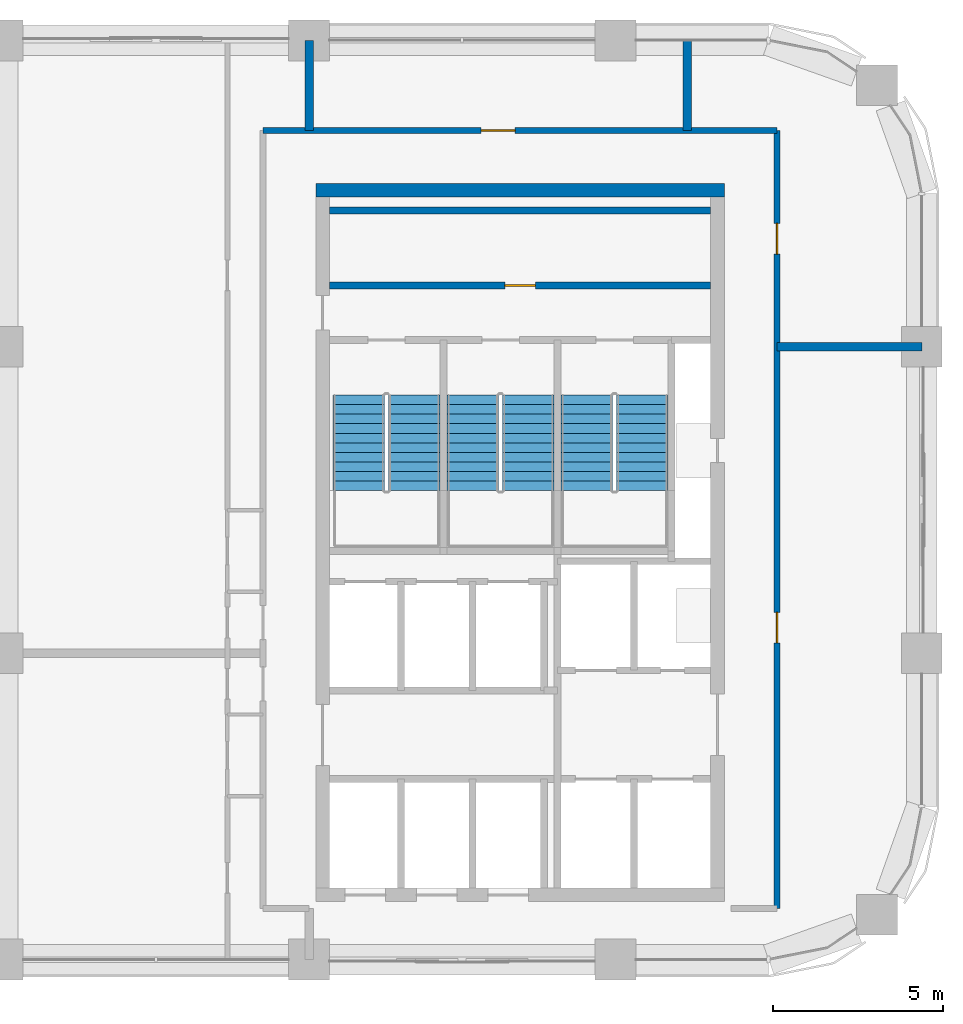
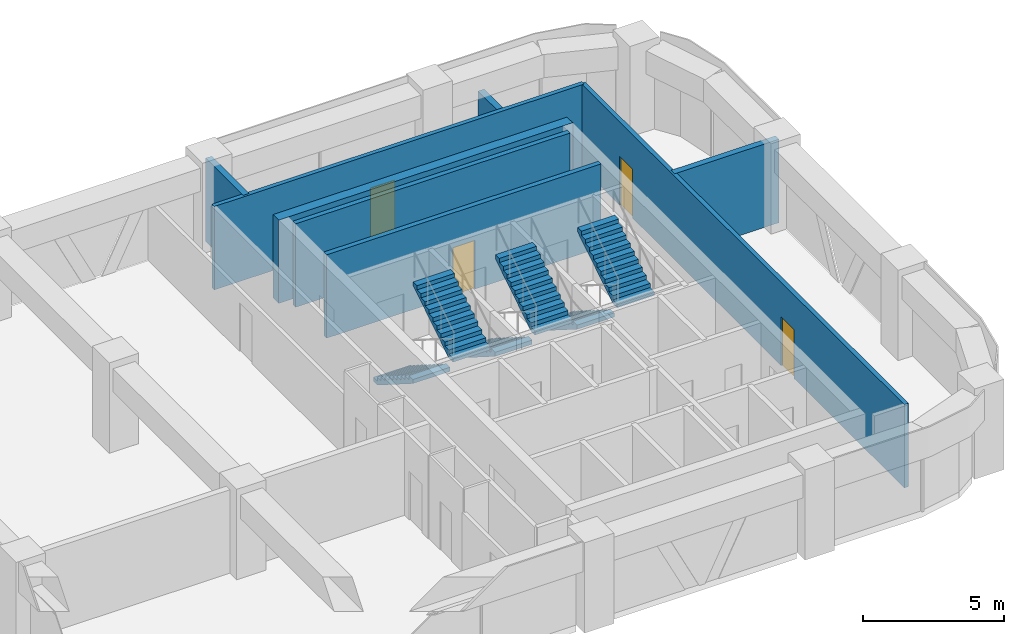
# One storey, part 8 of 9: 8 walls, 6 stair flights, 4 doors, 4 openings, 3 elements without a shape of their own.
"""IFC4 building model written with IfcOpenShell, lengths in metres."""

from ifc_helpers import new_model, si_unit, direction, frame, frame_2d, origin, place, context, subcontext, project, spatial, polyline, rectangle, outline, extrude, material, layer, layer_set, type_object, element, fill, aggregate, save


model = new_model("IFC4")

# Units and contexts
model_context = context("Model", 3, precision=1e-05, world=origin(), true_north=direction((0.0, 1.0)))
body_context = subcontext(model_context, "Body", "Model", "MODEL_VIEW")
ifc_project = project(units=[si_unit("LENGTHUNIT", "METRE"), si_unit("AREAUNIT", "SQUARE_METRE"), si_unit("VOLUMEUNIT", "CUBIC_METRE"), si_unit("PLANEANGLEUNIT", "RADIAN"), si_unit("MASSUNIT", "GRAM", prefix="KILO")], contexts=[model_context])

# Site, building, storey
site_placement = place(None, origin())
site = spatial("IfcSite", under=ifc_project, at=site_placement, CompositionType="ELEMENT")
building_placement = place(site_placement, origin())
building = spatial("IfcBuilding", under=site, at=building_placement, Name="Tessera Arch", CompositionType="ELEMENT")
storey_placement = place(building_placement, frame((0.0, 0.0, 273.5)))
storey = spatial("IfcBuildingStorey", under=building, at=storey_placement, Name="L66", CompositionType="ELEMENT", Elevation=273.5)

# Wall, opening, door
ifc_material_1 = material(Name="Gypsum board on steel stud", Category="steel")
ifc_layer_1 = layer(ifc_material_1, 0.125)
ifc_layer_set_1 = layer_set([ifc_layer_1], Name="Core partition 125 EI 60")
wall_type_1 = type_object("IfcWallType", Name="Core partition 125 EI 60", PredefinedType="PARTITIONING", material=ifc_layer_set_1)
wall_1_placement = place(storey_placement, frame((36.60009765625, 46.800048828125, 0.0), z_axis=(0.0, 0.0, 1.0), x_axis=(1.0, 0.0, 0.0)))
wall_1 = element("IfcWall", 1, at=wall_1_placement, inside=storey, type_object=wall_type_1, Name="L66 C1 partition wall 30", PredefinedType="PARTITIONING", context=body_context, shape_type="SweptSolid", body=[
    extrude(rectangle(XDim=11.199951171875, YDim=0.199951171875, at=frame_2d((5.60009765625, 0.0))), origin(), (0.0, 0.0, 1.0), 3.60009765625),
])
opening_1_placement = place(wall_1_placement, frame((5.14990234375, 0.0, 0.0)))
opening_1 = element("IfcOpeningElement", 2, at=opening_1_placement, cuts=wall_1, Name="Opening L66-C18", PredefinedType="OPENING", context=body_context, shape_type="SweptSolid", body=[
    extrude(rectangle(XDim=0.89990234375, YDim=2.10009765625, at=frame_2d((0.449951171875, 1.050048828125))), frame((0.0, 0.10986328125, 0.0), z_axis=(0.0, -1.0, 0.0), x_axis=(1.0, 0.0, 0.0)), (0.0, 0.0, 1.0), 0.219970703125),
])
ifc_material_2 = material(Name="Steel door leaf", Category="steel")
door_type_1 = type_object("IfcDoorType", Name="Store door FD30S 900 x 2100", OperationType="SINGLE_SWING_LEFT", PredefinedType="DOOR", material=ifc_material_2)
door_1_placement = place(opening_1_placement, origin())
door_1 = element("IfcDoor", 3, at=door_1_placement, inside=storey, type_object=door_type_1, Name="L66 C1 door 18 C18 type D09", OperationType="SINGLE_SWING_RIGHT", OverallHeight=2.10009765625, OverallWidth=0.89990234375, PredefinedType="DOOR", context=body_context, shape_type="SweptSolid", body=[
    extrude(rectangle(XDim=0.89990234375, YDim=2.10009765625, at=frame_2d((0.449951171875, 1.050048828125))), frame((0.0, 0.02490234375, 0.0), z_axis=(0.0, -1.0, 0.0), x_axis=(1.0, 0.0, 0.0)), (0.0, 0.0, 1.0), 0.050048828125),
])
fill(opening_1, door_1)

# Walls
wall_2_placement = place(storey_placement, frame((36.60009765625, 49.0, 0.0), z_axis=(0.0, 0.0, 1.0), x_axis=(1.0, 0.0, 0.0)))
element("IfcWall", 4, at=wall_2_placement, inside=storey, type_object=wall_type_1, Name="L66 C1 partition wall 31", PredefinedType="PARTITIONING", context=body_context, shape_type="SweptSolid", body=[
    extrude(rectangle(XDim=11.199951171875, YDim=0.199951171875, at=frame_2d((5.60009765625, 0.0))), origin(), (0.0, 0.0, 1.0), 3.60009765625),
])
ifc_material_3 = material(Name="Concrete C50/60", Category="concrete")
ifc_layer_2 = layer(ifc_material_3, 0.39990234375)
ifc_layer_set_2 = layer_set([ifc_layer_2], Name="Core shell wall 400 C50-60")
wall_type_2 = type_object("IfcWallType", Name="Core shell wall 400 C50-60", PredefinedType="SHEAR", material=ifc_layer_set_2)
wall_3_placement = place(storey_placement, frame((36.199951171875, 49.60009765625, 0.0), z_axis=(0.0, 0.0, 1.0), x_axis=(1.0, 0.0, 0.0)))
element("IfcWall", 5, at=wall_3_placement, inside=storey, type_object=wall_type_2, Name="L66 C1 core wall N", PredefinedType="SHEAR", context=body_context, shape_type="SweptSolid", body=[
    extrude(rectangle(XDim=12.0, YDim=0.39990234375, at=frame_2d((6.0, 0.0))), origin(), (0.0, 0.0, 1.0), 3.60009765625),
])

# Wall, opening, door
ifc_material_4 = material(Name="Gypsum board on deep steel stud with mineral wool", Category="steel")
ifc_layer_3 = layer(ifc_material_4, 0.175048828125)
ifc_layer_set_3 = layer_set([ifc_layer_3], Name="Corridor wall 175 EI 60")
wall_type_3 = type_object("IfcWallType", Name="Corridor wall 175 EI 60", PredefinedType="PARTITIONING", material=ifc_layer_set_3)
wall_4_placement = place(storey_placement, frame((34.64990234375, 51.35009765625, 0.0), z_axis=(0.0, 0.0, 1.0), x_axis=(1.0, 0.0, 0.0)))
wall_4 = element("IfcWall", 6, at=wall_4_placement, inside=storey, type_object=wall_type_3, Name="L66 partition 3", PredefinedType="PARTITIONING", context=body_context, shape_type="SweptSolid", body=[
    extrude(rectangle(XDim=15.10009765625, YDim=0.175048828125, at=frame_2d((7.550048828125, 0.0))), origin(), (0.0, 0.0, 1.0), 3.60009765625),
])
opening_2_placement = place(wall_4_placement, frame((6.40673828125, 0.0, 0.0)))
opening_2 = element("IfcOpeningElement", 7, at=opening_2_placement, cuts=wall_4, Name="Opening L66-D011", PredefinedType="OPENING", context=body_context, shape_type="SweptSolid", body=[
    extrude(rectangle(XDim=1.0, YDim=2.10009765625, at=frame_2d((0.5, 1.050048828125))), frame((0.0, 0.097412109375, 0.0), z_axis=(0.0, -1.0, 0.0), x_axis=(1.0, 0.0, 0.0)), (0.0, 0.0, 1.0), 0.195068359375),
])
ifc_material_5 = material(Name="Fire-rated door leaf")
door_type_2 = type_object("IfcDoorType", Name="Entrance door FD30S 1000 x 2100", OperationType="SINGLE_SWING_LEFT", PredefinedType="DOOR", material=ifc_material_5)
door_2_placement = place(opening_2_placement, origin())
door_2 = element("IfcDoor", 8, at=door_2_placement, inside=storey, type_object=door_type_2, Name="L66 door D011 type D03", OperationType="SINGLE_SWING_LEFT", OverallHeight=2.10009765625, OverallWidth=1.0, PredefinedType="DOOR", context=body_context, shape_type="SweptSolid", body=[
    extrude(rectangle(XDim=1.0, YDim=2.10009765625, at=frame_2d((0.5, 1.050048828125))), frame((0.0, 0.02490234375, 0.0), z_axis=(0.0, -1.0, 0.0), x_axis=(1.0, 0.0, 0.0)), (0.0, 0.0, 1.0), 0.050048828125),
])
fill(opening_2, door_2)

# Wall, openings, doors
wall_5_placement = place(storey_placement, frame((49.75, 28.5, 0.0), z_axis=(0.0, 0.0, 1.0), x_axis=(0.0, 1.0, 0.0)))
wall_5 = element("IfcWall", 9, at=wall_5_placement, inside=storey, type_object=wall_type_3, Name="L66 partition 5", PredefinedType="PARTITIONING", context=body_context, shape_type="SweptSolid", body=[
    extrude(rectangle(XDim=22.85009765625, YDim=0.175048828125, at=frame_2d((11.425048828125, 0.0))), origin(), (0.0, 0.0, 1.0), 3.60009765625),
])
opening_3_placement = place(wall_5_placement, frame((7.800048828125, 0.0, 0.0)))
opening_3 = element("IfcOpeningElement", 10, at=opening_3_placement, cuts=wall_5, Name="Opening L66-D005", PredefinedType="OPENING", context=body_context, shape_type="SweptSolid", body=[
    extrude(rectangle(XDim=0.89990234375, YDim=2.10009765625, at=frame_2d((0.449951171875, 1.050048828125))), frame((0.0, 0.097412109375, 0.0), z_axis=(0.0, -1.0, 0.0), x_axis=(1.0, 0.0, 0.0)), (0.0, 0.0, 1.0), 0.195068359375),
])
opening_4_placement = place(wall_5_placement, frame((19.22509765625, 0.0, 0.0)))
opening_4 = element("IfcOpeningElement", 11, at=opening_4_placement, cuts=wall_5, Name="Opening L66-D010", PredefinedType="OPENING", context=body_context, shape_type="SweptSolid", body=[
    extrude(rectangle(XDim=0.89990234375, YDim=2.10009765625, at=frame_2d((0.449951171875, 1.050048828125))), frame((0.0, 0.097412109375, 0.0), z_axis=(0.0, -1.0, 0.0), x_axis=(1.0, 0.0, 0.0)), (0.0, 0.0, 1.0), 0.195068359375),
])
ifc_material_6 = material(Name="Timber door leaf", Category="wood")
door_type_3 = type_object("IfcDoorType", Name="Room door 900 x 2100", OperationType="SINGLE_SWING_LEFT", PredefinedType="DOOR", material=ifc_material_6)
door_3_placement = place(opening_3_placement, origin())
door_3 = element("IfcDoor", 12, at=door_3_placement, inside=storey, type_object=door_type_3, Name="L66 door D005 type D01", OperationType="SINGLE_SWING_LEFT", OverallHeight=2.10009765625, OverallWidth=0.89990234375, PredefinedType="DOOR", context=body_context, shape_type="SweptSolid", body=[
    extrude(rectangle(XDim=0.89990234375, YDim=2.10009765625, at=frame_2d((0.449951171875, 1.050048828125))), frame((0.0, 0.02490234375, 0.0), z_axis=(0.0, -1.0, 0.0), x_axis=(1.0, 0.0, 0.0)), (0.0, 0.0, 1.0), 0.050048828125),
])
fill(opening_3, door_3)
door_4_placement = place(opening_4_placement, origin())
door_4 = element("IfcDoor", 13, at=door_4_placement, inside=storey, type_object=door_type_3, Name="L66 door D010 type D01", OperationType="SINGLE_SWING_LEFT", OverallHeight=2.10009765625, OverallWidth=0.89990234375, PredefinedType="DOOR", context=body_context, shape_type="SweptSolid", body=[
    extrude(rectangle(XDim=0.89990234375, YDim=2.10009765625, at=frame_2d((0.449951171875, 1.050048828125))), frame((0.0, 0.02490234375, 0.0), z_axis=(0.0, -1.0, 0.0), x_axis=(1.0, 0.0, 0.0)), (0.0, 0.0, 1.0), 0.050048828125),
])
fill(opening_4, door_4)

# Walls
ifc_material_7 = material(Name="Double gypsum board on twin steel stud with acoustic mineral wool", Category="steel")
ifc_layer_4 = layer(ifc_material_7, 0.25)
ifc_layer_set_4 = layer_set([ifc_layer_4], Name="Party wall 250 EI 60")
wall_type_4 = type_object("IfcWallType", Name="Party wall 250 EI 60", PredefinedType="PARTITIONING", material=ifc_layer_set_4)
wall_6_placement = place(storey_placement, frame((49.75, 45.0, 0.0), z_axis=(0.0, 0.0, 1.0), x_axis=(1.0, 0.0, 0.0)))
element("IfcWall", 14, at=wall_6_placement, inside=storey, type_object=wall_type_4, Name="L66 partition 10", PredefinedType="PARTITIONING", context=body_context, shape_type="SweptSolid", body=[
    extrude(rectangle(XDim=4.25, YDim=0.25, at=frame_2d((2.125, 0.0))), origin(), (0.0, 0.0, 1.0), 3.60009765625),
])
wall_7_placement = place(storey_placement, frame((36.0, 51.35009765625, 0.0), z_axis=(0.0, 0.0, 1.0), x_axis=(0.0, 1.0, 0.0)))
element("IfcWall", 15, at=wall_7_placement, inside=storey, type_object=wall_type_4, Name="L66 partition 12", PredefinedType="PARTITIONING", context=body_context, shape_type="SweptSolid", body=[
    extrude(rectangle(XDim=2.64990234375, YDim=0.25, at=frame_2d((1.324951171875, 0.0))), origin(), (0.0, 0.0, 1.0), 3.60009765625),
])
wall_8_placement = place(storey_placement, frame((47.114013671875, 51.35009765625, 0.0), z_axis=(0.0, 0.0, 1.0), x_axis=(0.0, 1.0, 0.0)))
element("IfcWall", 16, at=wall_8_placement, inside=storey, type_object=wall_type_4, Name="L66 partition 13", PredefinedType="PARTITIONING", context=body_context, shape_type="SweptSolid", body=[
    extrude(rectangle(XDim=2.64990234375, YDim=0.25, at=frame_2d((1.324951171875, 0.0))), origin(), (0.0, 0.0, 1.0), 2.60009765625),
])

# Stair, stair flights
ifc_material_8 = material(Name="Concrete C40/50", Category="concrete")
stair_type = type_object("IfcStairType", Name="Dogleg stair 1520", PredefinedType="HALF_TURN_STAIR", material=ifc_material_8)
stair_1_placement = place(storey_placement, origin())
stair_1 = element("IfcStair", 17, at=stair_1_placement, inside=storey, type_object=stair_type, Name="L66 S1a", PredefinedType="HALF_TURN_STAIR")
ifc_material_9 = material(Name="Concrete C40/50", Category="concrete")
stair_flight_type = type_object("IfcStairFlightType", Name="Stair flight 1520", PredefinedType="STRAIGHT", material=ifc_material_9)
stair_flight_1_placement = place(storey_placement, frame((37.4599609375, 43.580078125, 0.0), z_axis=(0.0, 0.0, 1.0), x_axis=(0.0, -1.0, 0.0)))
stair_flight_1 = element("IfcStairFlight", 18, at=stair_flight_1_placement, type_object=stair_flight_type, Name="S1a flight 1", NumberOfRisers=11, NumberOfTreads=10, PredefinedType="STRAIGHT", RiserHeight=0.177272727, TreadLength=0.28, context=body_context, shape_type="SweptSolid", body=[
    extrude(outline(polyline([(0.0, 0.0), (0.0, 0.17724609375), (0.280029296875, 0.17724609375), (0.280029296875, 0.3544921875), (0.56005859375, 0.3544921875), (0.56005859375, 0.53173828125), (0.840087890625, 0.53173828125), (0.840087890625, 0.708984375), (1.1201171875, 0.708984375), (1.1201171875, 0.886474609375), (1.39990234375, 0.886474609375), (1.39990234375, 1.063720703125), (1.679931640625, 1.063720703125), (1.679931640625, 1.240966796875), (1.9599609375, 1.240966796875), (1.9599609375, 1.418212890625), (2.239990234375, 1.418212890625), (2.239990234375, 1.595458984375), (2.52001953125, 1.595458984375), (2.52001953125, 1.772705078125), (2.800048828125, 1.772705078125), (2.800048828125, 1.949951171875), (2.800048828125, 1.59521484375), (0.2802734375, 0.0), (0.0, 0.0)])), frame((0.0, 0.760009765625, 0.0), z_axis=(0.0, -1.0, 0.0), x_axis=(1.0, 0.0, 0.0)), (0.0, 0.0, 1.0), 1.52001953125),
])
stair_flight_2_placement = place(storey_placement, frame((39.090087890625, 40.780029296875, 1.949951171875), z_axis=(0.0, 0.0, 1.0), x_axis=(0.0, 1.0, 0.0)))
stair_flight_2 = element("IfcStairFlight", 19, at=stair_flight_2_placement, type_object=stair_flight_type, Name="S1a flight 2", NumberOfRisers=11, NumberOfTreads=10, PredefinedType="STRAIGHT", RiserHeight=0.177272727, TreadLength=0.28, context=body_context, shape_type="SweptSolid", body=[
    extrude(outline(polyline([(0.0, 0.0), (0.0, 0.17724609375), (0.280029296875, 0.17724609375), (0.280029296875, 0.3544921875), (0.56005859375, 0.3544921875), (0.56005859375, 0.53173828125), (0.840087890625, 0.53173828125), (0.840087890625, 0.708984375), (1.1201171875, 0.708984375), (1.1201171875, 0.886474609375), (1.39990234375, 0.886474609375), (1.39990234375, 1.063720703125), (1.679931640625, 1.063720703125), (1.679931640625, 1.240966796875), (1.9599609375, 1.240966796875), (1.9599609375, 1.418212890625), (2.239990234375, 1.418212890625), (2.239990234375, 1.595458984375), (2.52001953125, 1.595458984375), (2.52001953125, 1.772705078125), (2.800048828125, 1.772705078125), (2.800048828125, 1.949951171875), (2.800048828125, 1.59521484375), (0.2802734375, 0.0), (0.0, 0.0)])), frame((0.0, 0.760009765625, 0.0), z_axis=(0.0, -1.0, 0.0), x_axis=(1.0, 0.0, 0.0)), (0.0, 0.0, 1.0), 1.52001953125),
])
aggregate(stair_1, [stair_flight_1, stair_flight_2])

stair_2_placement = place(storey_placement, origin())
stair_2 = element("IfcStair", 20, at=stair_2_placement, inside=storey, type_object=stair_type, Name="L66 S1b", PredefinedType="HALF_TURN_STAIR")
stair_flight_3_placement = place(storey_placement, frame((40.81005859375, 43.580078125, 0.0), z_axis=(0.0, 0.0, 1.0), x_axis=(0.0, -1.0, 0.0)))
stair_flight_3 = element("IfcStairFlight", 21, at=stair_flight_3_placement, type_object=stair_flight_type, Name="S1b flight 1", NumberOfRisers=11, NumberOfTreads=10, PredefinedType="STRAIGHT", RiserHeight=0.177272727, TreadLength=0.28, context=body_context, shape_type="SweptSolid", body=[
    extrude(outline(polyline([(0.0, 0.0), (0.0, 0.17724609375), (0.280029296875, 0.17724609375), (0.280029296875, 0.3544921875), (0.56005859375, 0.3544921875), (0.56005859375, 0.53173828125), (0.840087890625, 0.53173828125), (0.840087890625, 0.708984375), (1.1201171875, 0.708984375), (1.1201171875, 0.886474609375), (1.39990234375, 0.886474609375), (1.39990234375, 1.063720703125), (1.679931640625, 1.063720703125), (1.679931640625, 1.240966796875), (1.9599609375, 1.240966796875), (1.9599609375, 1.418212890625), (2.239990234375, 1.418212890625), (2.239990234375, 1.595458984375), (2.52001953125, 1.595458984375), (2.52001953125, 1.772705078125), (2.800048828125, 1.772705078125), (2.800048828125, 1.949951171875), (2.800048828125, 1.59521484375), (0.2802734375, 0.0), (0.0, 0.0)])), frame((0.0, 0.760009765625, 0.0), z_axis=(0.0, -1.0, 0.0), x_axis=(1.0, 0.0, 0.0)), (0.0, 0.0, 1.0), 1.52001953125),
])
stair_flight_4_placement = place(storey_placement, frame((42.43994140625, 40.780029296875, 1.949951171875), z_axis=(0.0, 0.0, 1.0), x_axis=(0.0, 1.0, 0.0)))
stair_flight_4 = element("IfcStairFlight", 22, at=stair_flight_4_placement, type_object=stair_flight_type, Name="S1b flight 2", NumberOfRisers=11, NumberOfTreads=10, PredefinedType="STRAIGHT", RiserHeight=0.177272727, TreadLength=0.28, context=body_context, shape_type="SweptSolid", body=[
    extrude(outline(polyline([(0.0, 0.0), (0.0, 0.17724609375), (0.280029296875, 0.17724609375), (0.280029296875, 0.3544921875), (0.56005859375, 0.3544921875), (0.56005859375, 0.53173828125), (0.840087890625, 0.53173828125), (0.840087890625, 0.708984375), (1.1201171875, 0.708984375), (1.1201171875, 0.886474609375), (1.39990234375, 0.886474609375), (1.39990234375, 1.063720703125), (1.679931640625, 1.063720703125), (1.679931640625, 1.240966796875), (1.9599609375, 1.240966796875), (1.9599609375, 1.418212890625), (2.239990234375, 1.418212890625), (2.239990234375, 1.595458984375), (2.52001953125, 1.595458984375), (2.52001953125, 1.772705078125), (2.800048828125, 1.772705078125), (2.800048828125, 1.949951171875), (2.800048828125, 1.59521484375), (0.2802734375, 0.0), (0.0, 0.0)])), frame((0.0, 0.760009765625, 0.0), z_axis=(0.0, -1.0, 0.0), x_axis=(1.0, 0.0, 0.0)), (0.0, 0.0, 1.0), 1.52001953125),
])
aggregate(stair_2, [stair_flight_3, stair_flight_4])

stair_3_placement = place(storey_placement, origin())
stair_3 = element("IfcStair", 23, at=stair_3_placement, inside=storey, type_object=stair_type, Name="L66 S1c", PredefinedType="HALF_TURN_STAIR")
stair_flight_5_placement = place(storey_placement, frame((44.159912109375, 43.580078125, 0.0), z_axis=(0.0, 0.0, 1.0), x_axis=(0.0, -1.0, 0.0)))
stair_flight_5 = element("IfcStairFlight", 24, at=stair_flight_5_placement, type_object=stair_flight_type, Name="S1c flight 1", NumberOfRisers=11, NumberOfTreads=10, PredefinedType="STRAIGHT", RiserHeight=0.177272727, TreadLength=0.28, context=body_context, shape_type="SweptSolid", body=[
    extrude(outline(polyline([(0.0, 0.0), (0.0, 0.17724609375), (0.280029296875, 0.17724609375), (0.280029296875, 0.3544921875), (0.56005859375, 0.3544921875), (0.56005859375, 0.53173828125), (0.840087890625, 0.53173828125), (0.840087890625, 0.708984375), (1.1201171875, 0.708984375), (1.1201171875, 0.886474609375), (1.39990234375, 0.886474609375), (1.39990234375, 1.063720703125), (1.679931640625, 1.063720703125), (1.679931640625, 1.240966796875), (1.9599609375, 1.240966796875), (1.9599609375, 1.418212890625), (2.239990234375, 1.418212890625), (2.239990234375, 1.595458984375), (2.52001953125, 1.595458984375), (2.52001953125, 1.772705078125), (2.800048828125, 1.772705078125), (2.800048828125, 1.949951171875), (2.800048828125, 1.59521484375), (0.2802734375, 0.0), (0.0, 0.0)])), frame((0.0, 0.760009765625, 0.0), z_axis=(0.0, -1.0, 0.0), x_axis=(1.0, 0.0, 0.0)), (0.0, 0.0, 1.0), 1.52001953125),
])
stair_flight_6_placement = place(storey_placement, frame((45.7900390625, 40.780029296875, 1.949951171875), z_axis=(0.0, 0.0, 1.0), x_axis=(0.0, 1.0, 0.0)))
stair_flight_6 = element("IfcStairFlight", 25, at=stair_flight_6_placement, type_object=stair_flight_type, Name="S1c flight 2", NumberOfRisers=11, NumberOfTreads=10, PredefinedType="STRAIGHT", RiserHeight=0.177272727, TreadLength=0.28, context=body_context, shape_type="SweptSolid", body=[
    extrude(outline(polyline([(0.0, 0.0), (0.0, 0.17724609375), (0.280029296875, 0.17724609375), (0.280029296875, 0.3544921875), (0.56005859375, 0.3544921875), (0.56005859375, 0.53173828125), (0.840087890625, 0.53173828125), (0.840087890625, 0.708984375), (1.1201171875, 0.708984375), (1.1201171875, 0.886474609375), (1.39990234375, 0.886474609375), (1.39990234375, 1.063720703125), (1.679931640625, 1.063720703125), (1.679931640625, 1.240966796875), (1.9599609375, 1.240966796875), (1.9599609375, 1.418212890625), (2.239990234375, 1.418212890625), (2.239990234375, 1.595458984375), (2.52001953125, 1.595458984375), (2.52001953125, 1.772705078125), (2.800048828125, 1.772705078125), (2.800048828125, 1.949951171875), (2.800048828125, 1.59521484375), (0.2802734375, 0.0), (0.0, 0.0)])), frame((0.0, 0.760009765625, 0.0), z_axis=(0.0, -1.0, 0.0), x_axis=(1.0, 0.0, 0.0)), (0.0, 0.0, 1.0), 1.52001953125),
])
aggregate(stair_3, [stair_flight_5, stair_flight_6])

save(model, "model.ifc")
